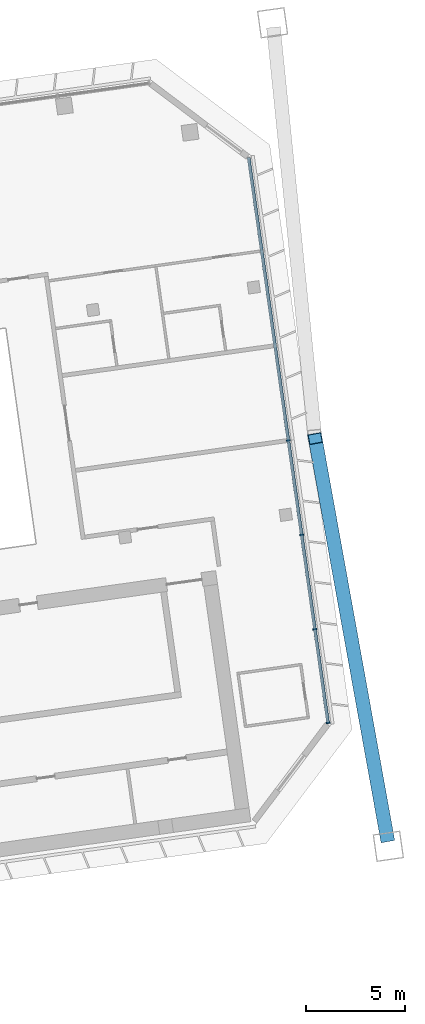
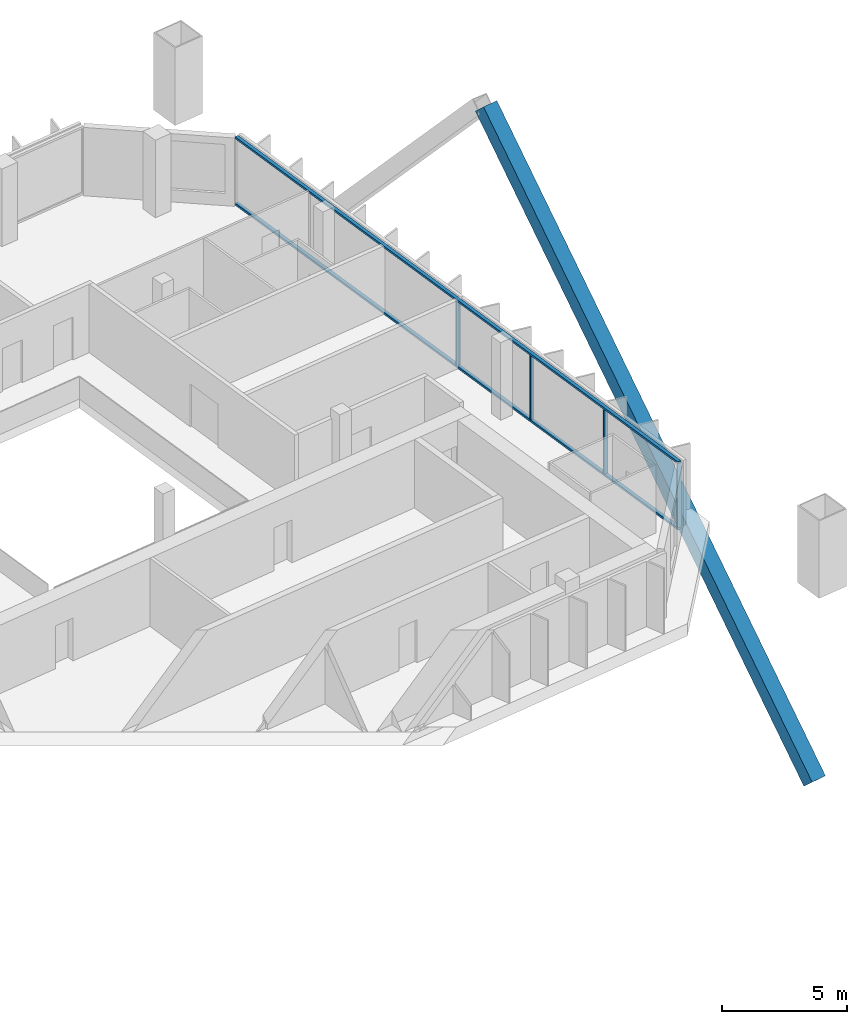
# One storey, part 8 of 23: 7 members, 1 element without a shape of its own.
"""IFC4 building model written with IfcOpenShell, lengths in metres."""

from ifc_helpers import new_model, si_unit, direction, frame, origin, origin_2d, place, context, subcontext, project, spatial, rectangle, hollow_rectangle, extrude, material, material_profile, profile_set, type_object, element, aggregate, save


model = new_model("IFC4")

# Units and contexts
model_context = context("Model", 3, precision=1e-05, world=origin(), true_north=direction((0.0, 1.0)))
body_context = subcontext(model_context, "Body", "Model", "MODEL_VIEW")
ifc_project = project(units=[si_unit("LENGTHUNIT", "METRE"), si_unit("AREAUNIT", "SQUARE_METRE"), si_unit("VOLUMEUNIT", "CUBIC_METRE"), si_unit("PLANEANGLEUNIT", "RADIAN"), si_unit("MASSUNIT", "GRAM", prefix="KILO")], contexts=[model_context])

# Site, building, storey
site_placement = place(None, origin())
site = spatial("IfcSite", under=ifc_project, at=site_placement, CompositionType="ELEMENT")
building_placement = place(site_placement, origin())
building = spatial("IfcBuilding", under=site, at=building_placement, Name="Mirante Cascada Hotel Towers", CompositionType="ELEMENT")
storey_placement = place(building_placement, frame((0.0, 0.0, 195.4)))
storey = spatial("IfcBuildingStorey", under=building, at=storey_placement, Name="L46", CompositionType="ELEMENT", Elevation=195.4)

# Member
ifc_material_1 = material(Name="Steel ASTM A572 Gr 50", Category="steel")
ifc_material_profile_1 = material_profile(ifc_material_1, hollow_rectangle(XDim=0.7, YDim=0.7, WallThickness=0.035, at=origin_2d()), Name="Box brace 700x700x35 ASTM A572 Gr 50")
ifc_profile_set_1 = profile_set([ifc_material_profile_1], Name="Steel ASTM A572 Gr 50")
member_type_1 = type_object("IfcMemberType", Name="Box brace 700x700x35 ASTM A572 Gr 50", PredefinedType="BRACE", material=ifc_profile_set_1)
member_1_placement = place(storey_placement, frame((88.3091, -14.5142, -9.9053), z_axis=(-0.1202718, 0.666892, 0.7353841), x_axis=(-0.9841238, -0.1774835, 0.0)))
element("IfcMember", 1, at=member_1_placement, inside=storey, type_object=member_type_1, Name="brace T2 L46 1", PredefinedType="BRACE", context=body_context, shape_type="SweptSolid", body=[
    extrude(hollow_rectangle(XDim=0.7, YDim=0.7, WallThickness=0.035, at=origin_2d()), origin(), (0.0, 0.0, 1.0), 30.1451),
])

# Curtain wall, members
ifc_material_2 = material(Name="Aluminium mullion and transom frame with clear laminated glass", Category="aluminium")
curtain_wall_type = type_object("IfcCurtainWallType", Name="End ribbon curtain wall ECW2", PredefinedType="NOTDEFINED", material=ifc_material_2)
curtain_wall_placement = place(storey_placement, origin())
curtain_wall = element("IfcCurtainWall", 2, at=curtain_wall_placement, inside=storey, type_object=curtain_wall_type, Name="Outer end wall T2 L46", PredefinedType="NOTDEFINED")
ifc_material_3 = material(Name="Anodised aluminium extrusion", Category="aluminium")
ifc_material_profile_2 = material_profile(ifc_material_3, rectangle(XDim=0.2, YDim=0.065, at=origin_2d()), Name="ECW2 MULLION 65x200")
ifc_profile_set_2 = profile_set([ifc_material_profile_2], Name="Anodised aluminium extrusion")
member_type_2 = type_object("IfcMemberType", Name="ECW2 mullion 65x200", PredefinedType="MULLION", material=ifc_profile_set_2)
member_2_placement = place(storey_placement, frame((85.3308, -8.7707, 0.1), z_axis=(0.0, 0.0, 1.0), x_axis=(-0.9902681, -0.1391731, 0.0)))
member_2 = element("IfcMember", 3, at=member_2_placement, type_object=member_type_2, Name="ECW2 mullion 1", PredefinedType="MULLION", context=body_context, shape_type="SweptSolid", body=[
    extrude(rectangle(XDim=0.2, YDim=0.065, at=origin_2d()), origin(), (0.0, 0.0, 1.0), 3.15),
])
member_3_placement = place(storey_placement, frame((84.6655, -4.0371, 0.1), z_axis=(0.0, 0.0, 1.0), x_axis=(-0.9902681, -0.1391731, 0.0)))
member_3 = element("IfcMember", 4, at=member_3_placement, type_object=member_type_2, Name="ECW2 mullion 2", PredefinedType="MULLION", context=body_context, shape_type="SweptSolid", body=[
    extrude(rectangle(XDim=0.2, YDim=0.065, at=origin_2d()), origin(), (0.0, 0.0, 1.0), 3.15),
])
member_4_placement = place(storey_placement, frame((83.9957, 0.7287, 0.1), z_axis=(0.0, 0.0, 1.0), x_axis=(-0.9902681, -0.1391731, 0.0)))
member_4 = element("IfcMember", 5, at=member_4_placement, type_object=member_type_2, Name="ECW2 mullion 3", PredefinedType="MULLION", context=body_context, shape_type="SweptSolid", body=[
    extrude(rectangle(XDim=0.2, YDim=0.065, at=origin_2d()), origin(), (0.0, 0.0, 1.0), 3.15),
])
member_5_placement = place(storey_placement, frame((83.3259, 5.4945, 0.1), z_axis=(0.0, 0.0, 1.0), x_axis=(-0.9902681, -0.1391731, 0.0)))
member_5 = element("IfcMember", 6, at=member_5_placement, type_object=member_type_2, Name="ECW2 mullion 4", PredefinedType="MULLION", context=body_context, shape_type="SweptSolid", body=[
    extrude(rectangle(XDim=0.2, YDim=0.065, at=origin_2d()), origin(), (0.0, 0.0, 1.0), 3.15),
])
ifc_material_4 = material(Name="Anodised aluminium extrusion", Category="aluminium")
ifc_material_profile_3 = material_profile(ifc_material_4, rectangle(XDim=0.16, YDim=0.1, at=origin_2d()), Name="ECW2 TRANSOM 100x160")
ifc_profile_set_3 = profile_set([ifc_material_profile_3], Name="Anodised aluminium extrusion")
member_type_3 = type_object("IfcMemberType", Name="ECW2 transom 100x160", PredefinedType="USERDEFINED", material=ifc_profile_set_3)
member_6_placement = place(storey_placement, frame((85.3353, -8.8029, 0.05), z_axis=(-0.1391723, 0.9902682, 0.0), x_axis=(-0.9902682, -0.1391723, 0.0)))
member_6 = element("IfcMember", 7, at=member_6_placement, type_object=member_type_3, Name="ECW2 sill transom", ObjectType="TRANSOM", PredefinedType="USERDEFINED", context=body_context, shape_type="SweptSolid", body=[
    extrude(rectangle(XDim=0.16, YDim=0.1, at=origin_2d()), origin(), (0.0, 0.0, 1.0), 28.8757),
])
member_7_placement = place(storey_placement, frame((85.3353, -8.8029, 3.3), z_axis=(-0.1391723, 0.9902682, 0.0), x_axis=(-0.9902682, -0.1391723, 0.0)))
member_7 = element("IfcMember", 8, at=member_7_placement, type_object=member_type_3, Name="ECW2 head transom", ObjectType="TRANSOM", PredefinedType="USERDEFINED", context=body_context, shape_type="SweptSolid", body=[
    extrude(rectangle(XDim=0.16, YDim=0.1, at=origin_2d()), origin(), (0.0, 0.0, 1.0), 28.8757),
])
aggregate(curtain_wall, [member_6, member_7, member_2, member_3, member_4, member_5])

save(model, "model.ifc")
